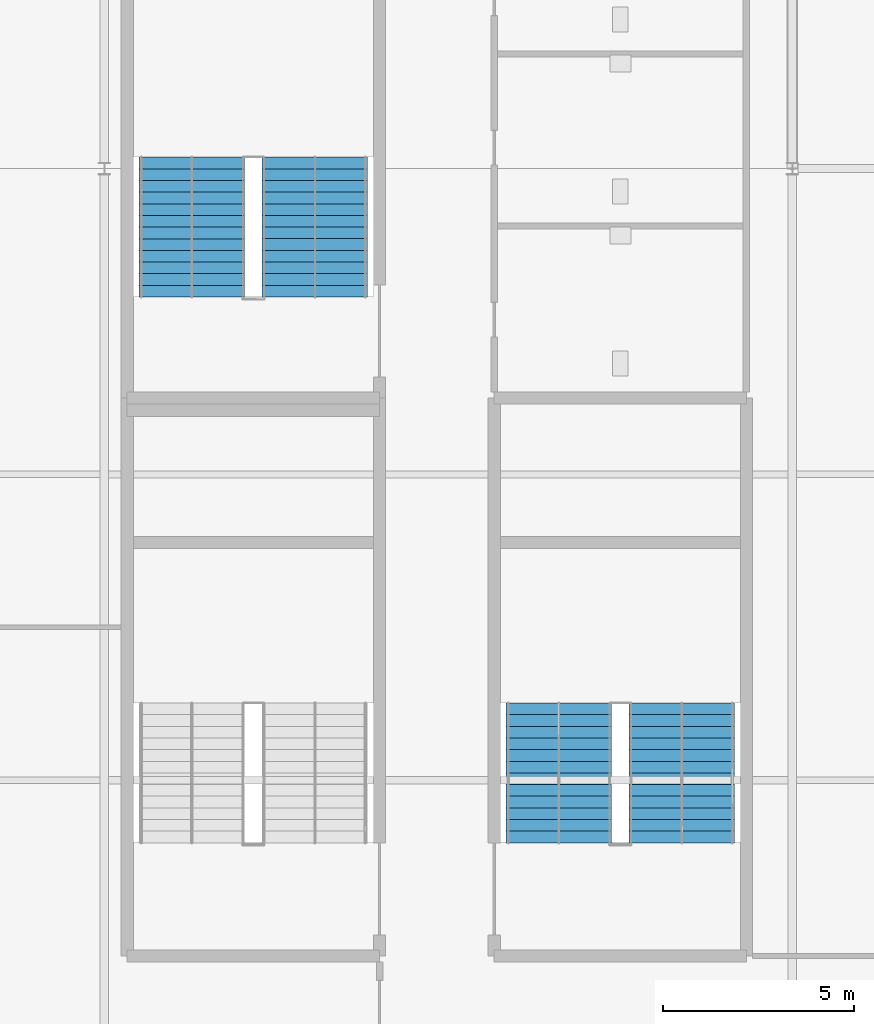
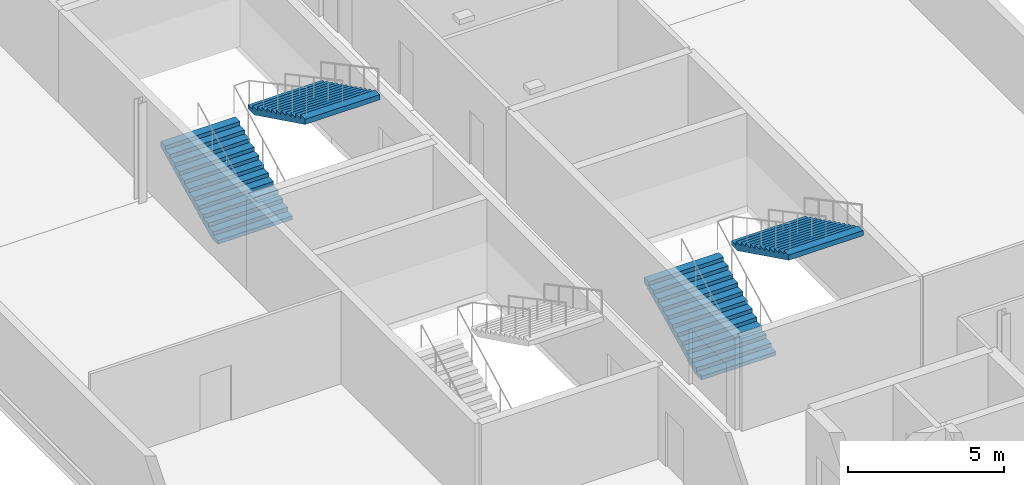
# One storey, part 25 of 31: 4 stair flights, 2 elements without a shape of their own.
"""IFC4 building model written with IfcOpenShell, lengths in metres."""

from ifc_helpers import new_model, si_unit, direction, frame, origin, place, context, subcontext, project, spatial, polygons, material, type_object, element, aggregate, save


model = new_model("IFC4")

# Units and contexts
model_context = context("Model", 3, precision=1e-05, world=origin(), true_north=direction((0.0, 1.0)))
body_context = subcontext(model_context, "Body", "Model", "MODEL_VIEW")
ifc_project = project(units=[si_unit("LENGTHUNIT", "METRE"), si_unit("AREAUNIT", "SQUARE_METRE"), si_unit("VOLUMEUNIT", "CUBIC_METRE"), si_unit("PLANEANGLEUNIT", "RADIAN"), si_unit("MASSUNIT", "GRAM", prefix="KILO")], contexts=[model_context])

# Site, building, storey
site_placement = place(None, origin())
site = spatial("IfcSite", under=ifc_project, at=site_placement, CompositionType="ELEMENT")
building_placement = place(site_placement, origin())
building = spatial("IfcBuilding", under=site, at=building_placement, Name="Kisiwana Market Hall", CompositionType="ELEMENT")
storey_placement = place(building_placement, frame((0.0, 0.0, 45.60009765625)))
storey = spatial("IfcBuildingStorey", under=building, at=storey_placement, Name="L10", CompositionType="ELEMENT", Elevation=45.60009765625)

# Stair, stair flights
ifc_material_1 = material(Name="Concrete C32/40", Category="concrete")
stair_type = type_object("IfcStairType", Name="ST-ESC-3900", PredefinedType="TWO_STRAIGHT_RUN_STAIR", material=ifc_material_1)
stair_1_placement = place(storey_placement, origin())
stair_1 = element("IfcStair", 1, at=stair_1_placement, inside=storey, type_object=stair_type, Name="Escape stair ST-E3-L10", PredefinedType="TWO_STRAIGHT_RUN_STAIR")
ifc_material_2 = material(Name="Concrete C32/40", Category="concrete")
stair_flight_type = type_object("IfcStairFlightType", Name="SF-ESC-3900", PredefinedType="STRAIGHT", material=ifc_material_2)
stair_flight_1_placement = place(storey_placement, frame((182.889892578125, 42.360107421875, 0.0), z_axis=(0.0, 0.0, 1.0), x_axis=(0.0, 1.0, 0.0)))
stair_flight_1 = element("IfcStairFlight", 2, at=stair_flight_1_placement, type_object=stair_flight_type, Name="ST-E3-L10 flight 1", NumberOfRisers=13, NumberOfTreads=12, PredefinedType="STRAIGHT", RiserHeight=0.15, TreadLength=0.305, context=body_context, shape_type="Tessellation", body=[
    polygons([(0.0, -1.380127, 0.0), (0.0, -0.690125, 0.0), (0.0, -0.000122, 0.0), (0.0, 0.68988, 0.0), (0.0, 1.379883, 0.0), (0.0, -1.380127, 0.149902), (0.0, -0.690125, 0.149902), (0.0, -0.000122, 0.149902), (0.0, 0.68988, 0.149902), (0.0, 1.379883, 0.149902), (0.304932, -1.380127, 0.149902), (0.304932, -0.690125, 0.149902), (0.304932, -0.000122, 0.149902), (0.304932, 0.68988, 0.149902), (0.304932, 1.379883, 0.149902), (0.304932, -1.380127, 0.300049), (0.304932, -0.690125, 0.300049), (0.304932, -0.000122, 0.300049), (0.304932, 0.68988, 0.300049), (0.304932, 1.379883, 0.300049), (0.610107, -1.380127, 0.300049), (0.610107, -0.690125, 0.300049), (0.610107, -0.000122, 0.300049), (0.610107, 0.68988, 0.300049), (0.610107, 1.379883, 0.300049), (0.610107, -1.380127, 0.449951), (0.610107, -0.690125, 0.449951), (0.610107, -0.000122, 0.449951), (0.610107, 0.68988, 0.449951), (0.610107, 1.379883, 0.449951), (0.915039, -1.380127, 0.449951), (0.915039, -0.690125, 0.449951), (0.915039, -0.000122, 0.449951), (0.915039, 0.68988, 0.449951), (0.915039, 1.379883, 0.449951), (0.915039, -1.380127, 0.600098), (0.915039, -0.690125, 0.600098), (0.915039, -0.000122, 0.600098), (0.915039, 0.68988, 0.600098), (0.915039, 1.379883, 0.600098), (1.219971, -1.380127, 0.600098), (1.219971, -0.690125, 0.600098), (1.219971, -0.000122, 0.600098), (1.219971, 0.68988, 0.600098), (1.219971, 1.379883, 0.600098), (1.219971, -1.380127, 0.75), (1.219971, -0.690125, 0.75), (1.219971, -0.000122, 0.75), (1.219971, 0.68988, 0.75), (1.219971, 1.379883, 0.75), (1.524902, -1.380127, 0.75), (1.524902, -0.690125, 0.75), (1.524902, -0.000122, 0.75), (1.524902, 0.68988, 0.75), (1.524902, 1.379883, 0.75), (1.524902, -1.380127, 0.899902), (1.524902, -0.690125, 0.899902), (1.524902, -0.000122, 0.899902), (1.524902, 0.68988, 0.899902), (1.524902, 1.379883, 0.899902), (1.830078, -1.380127, 0.899902), (1.830078, -0.690125, 0.899902), (1.830078, -0.000122, 0.899902), (1.830078, 0.68988, 0.899902), (1.830078, 1.379883, 0.899902), (1.830078, -1.380127, 1.050049), (1.830078, -0.690125, 1.050049), (1.830078, -0.000122, 1.050049), (1.830078, 0.68988, 1.050049), (1.830078, 1.379883, 1.050049), (2.13501, -1.380127, 1.050049), (2.13501, -0.690125, 1.050049), (2.13501, -0.000122, 1.050049), (2.13501, 0.68988, 1.050049), (2.13501, 1.379883, 1.050049), (2.13501, -1.380127, 1.199951), (2.13501, -0.690125, 1.199951), (2.13501, -0.000122, 1.199951), (2.13501, 0.68988, 1.199951), (2.13501, 1.379883, 1.199951), (2.439941, -1.380127, 1.199951), (2.439941, -0.690125, 1.199951), (2.439941, -0.000122, 1.199951), (2.439941, 0.68988, 1.199951), (2.439941, 1.379883, 1.199951), (2.439941, -1.380127, 1.350098), (2.439941, -0.690125, 1.350098), (2.439941, -0.000122, 1.350098), (2.439941, 0.68988, 1.350098), (2.439941, 1.379883, 1.350098), (2.745117, -1.380127, 1.350098), (2.745117, -0.690125, 1.350098), (2.745117, -0.000122, 1.350098), (2.745117, 0.68988, 1.350098), (2.745117, 1.379883, 1.350098), (2.745117, -1.380127, 1.5), (2.745117, -0.690125, 1.5), (2.745117, -0.000122, 1.5), (2.745117, 0.68988, 1.5), (2.745117, 1.379883, 1.5), (3.050049, -1.380127, 1.5), (3.050049, -0.690125, 1.5), (3.050049, -0.000122, 1.5), (3.050049, 0.68988, 1.5), (3.050049, 1.379883, 1.5), (3.050049, -1.380127, 1.649902), (3.050049, -0.690125, 1.649902), (3.050049, -0.000122, 1.649902), (3.050049, 0.68988, 1.649902), (3.050049, 1.379883, 1.649902), (3.35498, -1.380127, 1.649902), (3.35498, -0.690125, 1.649902), (3.35498, -0.000122, 1.649902), (3.35498, 0.68988, 1.649902), (3.35498, 1.379883, 1.649902), (3.35498, -1.380127, 1.800049), (3.35498, -0.690125, 1.800049), (3.35498, -0.000122, 1.800049), (3.35498, 0.68988, 1.800049), (3.35498, 1.379883, 1.800049), (3.659912, -1.380127, 1.800049), (3.659912, -0.690125, 1.800049), (3.659912, -0.000122, 1.800049), (3.659912, 0.68988, 1.800049), (3.659912, 1.379883, 1.800049), (3.659912, -1.380127, 1.599365), (3.659912, -0.690125, 1.599365), (3.659912, -0.000122, 1.599365), (3.659912, 0.68988, 1.599365), (3.659912, 1.379883, 1.599365), (0.407715, -1.380127, 0.0), (0.407715, -0.690125, 0.0), (0.407715, -0.000122, 0.0), (0.407715, 0.68988, 0.0), (0.407715, 1.379883, 0.0)], [[[1, 6, 7, 2]], [[2, 7, 8, 3]], [[3, 8, 9, 4]], [[4, 9, 10, 5]], [[6, 11, 12, 7]], [[7, 12, 13, 8]], [[8, 13, 14, 9]], [[9, 14, 15, 10]], [[11, 16, 17, 12]], [[12, 17, 18, 13]], [[13, 18, 19, 14]], [[14, 19, 20, 15]], [[16, 21, 22, 17]], [[17, 22, 23, 18]], [[18, 23, 24, 19]], [[19, 24, 25, 20]], [[21, 26, 27, 22]], [[22, 27, 28, 23]], [[23, 28, 29, 24]], [[24, 29, 30, 25]], [[26, 31, 32, 27]], [[27, 32, 33, 28]], [[28, 33, 34, 29]], [[29, 34, 35, 30]], [[31, 36, 37, 32]], [[32, 37, 38, 33]], [[33, 38, 39, 34]], [[34, 39, 40, 35]], [[36, 41, 42, 37]], [[37, 42, 43, 38]], [[38, 43, 44, 39]], [[39, 44, 45, 40]], [[41, 46, 47, 42]], [[42, 47, 48, 43]], [[43, 48, 49, 44]], [[44, 49, 50, 45]], [[46, 51, 52, 47]], [[47, 52, 53, 48]], [[48, 53, 54, 49]], [[49, 54, 55, 50]], [[51, 56, 57, 52]], [[52, 57, 58, 53]], [[53, 58, 59, 54]], [[54, 59, 60, 55]], [[56, 61, 62, 57]], [[57, 62, 63, 58]], [[58, 63, 64, 59]], [[59, 64, 65, 60]], [[61, 66, 67, 62]], [[62, 67, 68, 63]], [[63, 68, 69, 64]], [[64, 69, 70, 65]], [[66, 71, 72, 67]], [[67, 72, 73, 68]], [[68, 73, 74, 69]], [[69, 74, 75, 70]], [[71, 76, 77, 72]], [[72, 77, 78, 73]], [[73, 78, 79, 74]], [[74, 79, 80, 75]], [[76, 81, 82, 77]], [[77, 82, 83, 78]], [[78, 83, 84, 79]], [[79, 84, 85, 80]], [[81, 86, 87, 82]], [[82, 87, 88, 83]], [[83, 88, 89, 84]], [[84, 89, 90, 85]], [[86, 91, 92, 87]], [[87, 92, 93, 88]], [[88, 93, 94, 89]], [[89, 94, 95, 90]], [[91, 96, 97, 92]], [[92, 97, 98, 93]], [[93, 98, 99, 94]], [[94, 99, 100, 95]], [[96, 101, 102, 97]], [[97, 102, 103, 98]], [[98, 103, 104, 99]], [[99, 104, 105, 100]], [[101, 106, 107, 102]], [[102, 107, 108, 103]], [[103, 108, 109, 104]], [[104, 109, 110, 105]], [[106, 111, 112, 107]], [[107, 112, 113, 108]], [[108, 113, 114, 109]], [[109, 114, 115, 110]], [[111, 116, 117, 112]], [[112, 117, 118, 113]], [[113, 118, 119, 114]], [[114, 119, 120, 115]], [[116, 121, 122, 117]], [[117, 122, 123, 118]], [[118, 123, 124, 119]], [[119, 124, 125, 120]], [[121, 126, 127, 122]], [[122, 127, 128, 123]], [[123, 128, 129, 124]], [[124, 129, 130, 125]], [[126, 131, 132, 127]], [[127, 132, 133, 128]], [[128, 133, 134, 129]], [[129, 134, 135, 130]], [[131, 1, 2, 132]], [[132, 2, 3, 133]], [[133, 3, 4, 134]], [[134, 4, 5, 135]], [[131, 126, 121, 116, 111, 106, 101, 96, 91, 86, 81, 76, 71, 66, 61, 56, 51, 46, 41, 36, 31, 26, 21, 16, 11, 6, 1]], [[5, 10, 15, 20, 25, 30, 35, 40, 45, 50, 55, 60, 65, 70, 75, 80, 85, 90, 95, 100, 105, 110, 115, 120, 125, 130, 135]]], closed=True),
])
stair_flight_2_placement = place(storey_placement, frame((186.110107421875, 46.02001953125, 1.949951171875), z_axis=(0.0, 0.0, 1.0), x_axis=(0.0, -1.0, 0.0)))
stair_flight_2 = element("IfcStairFlight", 3, at=stair_flight_2_placement, type_object=stair_flight_type, Name="ST-E3-L10 flight 2", NumberOfRisers=13, NumberOfTreads=12, PredefinedType="STRAIGHT", RiserHeight=0.15, TreadLength=0.305, context=body_context, shape_type="Tessellation", body=[
    polygons([(0.0, -1.380127, 0.0), (0.0, -0.690125, 0.0), (0.0, -0.000122, 0.0), (0.0, 0.68988, 0.0), (0.0, 1.379883, 0.0), (0.0, -1.380127, 0.149902), (0.0, -0.690125, 0.149902), (0.0, -0.000122, 0.149902), (0.0, 0.68988, 0.149902), (0.0, 1.379883, 0.149902), (0.304932, -1.380127, 0.149902), (0.304932, -0.690125, 0.149902), (0.304932, -0.000122, 0.149902), (0.304932, 0.68988, 0.149902), (0.304932, 1.379883, 0.149902), (0.304932, -1.380127, 0.300049), (0.304932, -0.690125, 0.300049), (0.304932, -0.000122, 0.300049), (0.304932, 0.68988, 0.300049), (0.304932, 1.379883, 0.300049), (0.610107, -1.380127, 0.300049), (0.610107, -0.690125, 0.300049), (0.610107, -0.000122, 0.300049), (0.610107, 0.68988, 0.300049), (0.610107, 1.379883, 0.300049), (0.610107, -1.380127, 0.449951), (0.610107, -0.690125, 0.449951), (0.610107, -0.000122, 0.449951), (0.610107, 0.68988, 0.449951), (0.610107, 1.379883, 0.449951), (0.915039, -1.380127, 0.449951), (0.915039, -0.690125, 0.449951), (0.915039, -0.000122, 0.449951), (0.915039, 0.68988, 0.449951), (0.915039, 1.379883, 0.449951), (0.915039, -1.380127, 0.600098), (0.915039, -0.690125, 0.600098), (0.915039, -0.000122, 0.600098), (0.915039, 0.68988, 0.600098), (0.915039, 1.379883, 0.600098), (1.219971, -1.380127, 0.600098), (1.219971, -0.690125, 0.600098), (1.219971, -0.000122, 0.600098), (1.219971, 0.68988, 0.600098), (1.219971, 1.379883, 0.600098), (1.219971, -1.380127, 0.75), (1.219971, -0.690125, 0.75), (1.219971, -0.000122, 0.75), (1.219971, 0.68988, 0.75), (1.219971, 1.379883, 0.75), (1.524902, -1.380127, 0.75), (1.524902, -0.690125, 0.75), (1.524902, -0.000122, 0.75), (1.524902, 0.68988, 0.75), (1.524902, 1.379883, 0.75), (1.524902, -1.380127, 0.899902), (1.524902, -0.690125, 0.899902), (1.524902, -0.000122, 0.899902), (1.524902, 0.68988, 0.899902), (1.524902, 1.379883, 0.899902), (1.830078, -1.380127, 0.899902), (1.830078, -0.690125, 0.899902), (1.830078, -0.000122, 0.899902), (1.830078, 0.68988, 0.899902), (1.830078, 1.379883, 0.899902), (1.830078, -1.380127, 1.050049), (1.830078, -0.690125, 1.050049), (1.830078, -0.000122, 1.050049), (1.830078, 0.68988, 1.050049), (1.830078, 1.379883, 1.050049), (2.13501, -1.380127, 1.050049), (2.13501, -0.690125, 1.050049), (2.13501, -0.000122, 1.050049), (2.13501, 0.68988, 1.050049), (2.13501, 1.379883, 1.050049), (2.13501, -1.380127, 1.199951), (2.13501, -0.690125, 1.199951), (2.13501, -0.000122, 1.199951), (2.13501, 0.68988, 1.199951), (2.13501, 1.379883, 1.199951), (2.439941, -1.380127, 1.199951), (2.439941, -0.690125, 1.199951), (2.439941, -0.000122, 1.199951), (2.439941, 0.68988, 1.199951), (2.439941, 1.379883, 1.199951), (2.439941, -1.380127, 1.350098), (2.439941, -0.690125, 1.350098), (2.439941, -0.000122, 1.350098), (2.439941, 0.68988, 1.350098), (2.439941, 1.379883, 1.350098), (2.745117, -1.380127, 1.350098), (2.745117, -0.690125, 1.350098), (2.745117, -0.000122, 1.350098), (2.745117, 0.68988, 1.350098), (2.745117, 1.379883, 1.350098), (2.745117, -1.380127, 1.5), (2.745117, -0.690125, 1.5), (2.745117, -0.000122, 1.5), (2.745117, 0.68988, 1.5), (2.745117, 1.379883, 1.5), (3.050049, -1.380127, 1.5), (3.050049, -0.690125, 1.5), (3.050049, -0.000122, 1.5), (3.050049, 0.68988, 1.5), (3.050049, 1.379883, 1.5), (3.050049, -1.380127, 1.649902), (3.050049, -0.690125, 1.649902), (3.050049, -0.000122, 1.649902), (3.050049, 0.68988, 1.649902), (3.050049, 1.379883, 1.649902), (3.35498, -1.380127, 1.649902), (3.35498, -0.690125, 1.649902), (3.35498, -0.000122, 1.649902), (3.35498, 0.68988, 1.649902), (3.35498, 1.379883, 1.649902), (3.35498, -1.380127, 1.800049), (3.35498, -0.690125, 1.800049), (3.35498, -0.000122, 1.800049), (3.35498, 0.68988, 1.800049), (3.35498, 1.379883, 1.800049), (3.659912, -1.380127, 1.800049), (3.659912, -0.690125, 1.800049), (3.659912, -0.000122, 1.800049), (3.659912, 0.68988, 1.800049), (3.659912, 1.379883, 1.800049), (3.659912, -1.380127, 1.599365), (3.659912, -0.690125, 1.599365), (3.659912, -0.000122, 1.599365), (3.659912, 0.68988, 1.599365), (3.659912, 1.379883, 1.599365), (0.407715, -1.380127, 0.0), (0.407715, -0.690125, 0.0), (0.407715, -0.000122, 0.0), (0.407715, 0.68988, 0.0), (0.407715, 1.379883, 0.0)], [[[1, 6, 7, 2]], [[2, 7, 8, 3]], [[3, 8, 9, 4]], [[4, 9, 10, 5]], [[6, 11, 12, 7]], [[7, 12, 13, 8]], [[8, 13, 14, 9]], [[9, 14, 15, 10]], [[11, 16, 17, 12]], [[12, 17, 18, 13]], [[13, 18, 19, 14]], [[14, 19, 20, 15]], [[16, 21, 22, 17]], [[17, 22, 23, 18]], [[18, 23, 24, 19]], [[19, 24, 25, 20]], [[21, 26, 27, 22]], [[22, 27, 28, 23]], [[23, 28, 29, 24]], [[24, 29, 30, 25]], [[26, 31, 32, 27]], [[27, 32, 33, 28]], [[28, 33, 34, 29]], [[29, 34, 35, 30]], [[31, 36, 37, 32]], [[32, 37, 38, 33]], [[33, 38, 39, 34]], [[34, 39, 40, 35]], [[36, 41, 42, 37]], [[37, 42, 43, 38]], [[38, 43, 44, 39]], [[39, 44, 45, 40]], [[41, 46, 47, 42]], [[42, 47, 48, 43]], [[43, 48, 49, 44]], [[44, 49, 50, 45]], [[46, 51, 52, 47]], [[47, 52, 53, 48]], [[48, 53, 54, 49]], [[49, 54, 55, 50]], [[51, 56, 57, 52]], [[52, 57, 58, 53]], [[53, 58, 59, 54]], [[54, 59, 60, 55]], [[56, 61, 62, 57]], [[57, 62, 63, 58]], [[58, 63, 64, 59]], [[59, 64, 65, 60]], [[61, 66, 67, 62]], [[62, 67, 68, 63]], [[63, 68, 69, 64]], [[64, 69, 70, 65]], [[66, 71, 72, 67]], [[67, 72, 73, 68]], [[68, 73, 74, 69]], [[69, 74, 75, 70]], [[71, 76, 77, 72]], [[72, 77, 78, 73]], [[73, 78, 79, 74]], [[74, 79, 80, 75]], [[76, 81, 82, 77]], [[77, 82, 83, 78]], [[78, 83, 84, 79]], [[79, 84, 85, 80]], [[81, 86, 87, 82]], [[82, 87, 88, 83]], [[83, 88, 89, 84]], [[84, 89, 90, 85]], [[86, 91, 92, 87]], [[87, 92, 93, 88]], [[88, 93, 94, 89]], [[89, 94, 95, 90]], [[91, 96, 97, 92]], [[92, 97, 98, 93]], [[93, 98, 99, 94]], [[94, 99, 100, 95]], [[96, 101, 102, 97]], [[97, 102, 103, 98]], [[98, 103, 104, 99]], [[99, 104, 105, 100]], [[101, 106, 107, 102]], [[102, 107, 108, 103]], [[103, 108, 109, 104]], [[104, 109, 110, 105]], [[106, 111, 112, 107]], [[107, 112, 113, 108]], [[108, 113, 114, 109]], [[109, 114, 115, 110]], [[111, 116, 117, 112]], [[112, 117, 118, 113]], [[113, 118, 119, 114]], [[114, 119, 120, 115]], [[116, 121, 122, 117]], [[117, 122, 123, 118]], [[118, 123, 124, 119]], [[119, 124, 125, 120]], [[121, 126, 127, 122]], [[122, 127, 128, 123]], [[123, 128, 129, 124]], [[124, 129, 130, 125]], [[126, 131, 132, 127]], [[127, 132, 133, 128]], [[128, 133, 134, 129]], [[129, 134, 135, 130]], [[131, 1, 2, 132]], [[132, 2, 3, 133]], [[133, 3, 4, 134]], [[134, 4, 5, 135]], [[131, 126, 121, 116, 111, 106, 101, 96, 91, 86, 81, 76, 71, 66, 61, 56, 51, 46, 41, 36, 31, 26, 21, 16, 11, 6, 1]], [[5, 10, 15, 20, 25, 30, 35, 40, 45, 50, 55, 60, 65, 70, 75, 80, 85, 90, 95, 100, 105, 110, 115, 120, 125, 130, 135]]], closed=True),
])
aggregate(stair_1, [stair_flight_1, stair_flight_2])

stair_2_placement = place(storey_placement, origin())
stair_2 = element("IfcStair", 4, at=stair_2_placement, inside=storey, type_object=stair_type, Name="Escape stair ST-E5-L10", PredefinedType="TWO_STRAIGHT_RUN_STAIR")
stair_flight_3_placement = place(storey_placement, frame((173.2900390625, 56.639892578125, 0.0), z_axis=(0.0, 0.0, 1.0), x_axis=(0.0, 1.0, 0.0)))
stair_flight_3 = element("IfcStairFlight", 5, at=stair_flight_3_placement, type_object=stair_flight_type, Name="ST-E5-L10 flight 1", NumberOfRisers=13, NumberOfTreads=12, PredefinedType="STRAIGHT", RiserHeight=0.15, TreadLength=0.305, context=body_context, shape_type="Tessellation", body=[
    polygons([(0.0, -1.380127, 0.0), (0.0, -0.690125, 0.0), (0.0, -0.000122, 0.0), (0.0, 0.68988, 0.0), (0.0, 1.379883, 0.0), (0.0, -1.380127, 0.149902), (0.0, -0.690125, 0.149902), (0.0, -0.000122, 0.149902), (0.0, 0.68988, 0.149902), (0.0, 1.379883, 0.149902), (0.304932, -1.380127, 0.149902), (0.304932, -0.690125, 0.149902), (0.304932, -0.000122, 0.149902), (0.304932, 0.68988, 0.149902), (0.304932, 1.379883, 0.149902), (0.304932, -1.380127, 0.300049), (0.304932, -0.690125, 0.300049), (0.304932, -0.000122, 0.300049), (0.304932, 0.68988, 0.300049), (0.304932, 1.379883, 0.300049), (0.610107, -1.380127, 0.300049), (0.610107, -0.690125, 0.300049), (0.610107, -0.000122, 0.300049), (0.610107, 0.68988, 0.300049), (0.610107, 1.379883, 0.300049), (0.610107, -1.380127, 0.449951), (0.610107, -0.690125, 0.449951), (0.610107, -0.000122, 0.449951), (0.610107, 0.68988, 0.449951), (0.610107, 1.379883, 0.449951), (0.915039, -1.380127, 0.449951), (0.915039, -0.690125, 0.449951), (0.915039, -0.000122, 0.449951), (0.915039, 0.68988, 0.449951), (0.915039, 1.379883, 0.449951), (0.915039, -1.380127, 0.600098), (0.915039, -0.690125, 0.600098), (0.915039, -0.000122, 0.600098), (0.915039, 0.68988, 0.600098), (0.915039, 1.379883, 0.600098), (1.219971, -1.380127, 0.600098), (1.219971, -0.690125, 0.600098), (1.219971, -0.000122, 0.600098), (1.219971, 0.68988, 0.600098), (1.219971, 1.379883, 0.600098), (1.219971, -1.380127, 0.75), (1.219971, -0.690125, 0.75), (1.219971, -0.000122, 0.75), (1.219971, 0.68988, 0.75), (1.219971, 1.379883, 0.75), (1.524902, -1.380127, 0.75), (1.524902, -0.690125, 0.75), (1.524902, -0.000122, 0.75), (1.524902, 0.68988, 0.75), (1.524902, 1.379883, 0.75), (1.524902, -1.380127, 0.899902), (1.524902, -0.690125, 0.899902), (1.524902, -0.000122, 0.899902), (1.524902, 0.68988, 0.899902), (1.524902, 1.379883, 0.899902), (1.830078, -1.380127, 0.899902), (1.830078, -0.690125, 0.899902), (1.830078, -0.000122, 0.899902), (1.830078, 0.68988, 0.899902), (1.830078, 1.379883, 0.899902), (1.830078, -1.380127, 1.050049), (1.830078, -0.690125, 1.050049), (1.830078, -0.000122, 1.050049), (1.830078, 0.68988, 1.050049), (1.830078, 1.379883, 1.050049), (2.13501, -1.380127, 1.050049), (2.13501, -0.690125, 1.050049), (2.13501, -0.000122, 1.050049), (2.13501, 0.68988, 1.050049), (2.13501, 1.379883, 1.050049), (2.13501, -1.380127, 1.199951), (2.13501, -0.690125, 1.199951), (2.13501, -0.000122, 1.199951), (2.13501, 0.68988, 1.199951), (2.13501, 1.379883, 1.199951), (2.439941, -1.380127, 1.199951), (2.439941, -0.690125, 1.199951), (2.439941, -0.000122, 1.199951), (2.439941, 0.68988, 1.199951), (2.439941, 1.379883, 1.199951), (2.439941, -1.380127, 1.350098), (2.439941, -0.690125, 1.350098), (2.439941, -0.000122, 1.350098), (2.439941, 0.68988, 1.350098), (2.439941, 1.379883, 1.350098), (2.745117, -1.380127, 1.350098), (2.745117, -0.690125, 1.350098), (2.745117, -0.000122, 1.350098), (2.745117, 0.68988, 1.350098), (2.745117, 1.379883, 1.350098), (2.745117, -1.380127, 1.5), (2.745117, -0.690125, 1.5), (2.745117, -0.000122, 1.5), (2.745117, 0.68988, 1.5), (2.745117, 1.379883, 1.5), (3.050049, -1.380127, 1.5), (3.050049, -0.690125, 1.5), (3.050049, -0.000122, 1.5), (3.050049, 0.68988, 1.5), (3.050049, 1.379883, 1.5), (3.050049, -1.380127, 1.649902), (3.050049, -0.690125, 1.649902), (3.050049, -0.000122, 1.649902), (3.050049, 0.68988, 1.649902), (3.050049, 1.379883, 1.649902), (3.35498, -1.380127, 1.649902), (3.35498, -0.690125, 1.649902), (3.35498, -0.000122, 1.649902), (3.35498, 0.68988, 1.649902), (3.35498, 1.379883, 1.649902), (3.35498, -1.380127, 1.800049), (3.35498, -0.690125, 1.800049), (3.35498, -0.000122, 1.800049), (3.35498, 0.68988, 1.800049), (3.35498, 1.379883, 1.800049), (3.659912, -1.380127, 1.800049), (3.659912, -0.690125, 1.800049), (3.659912, -0.000122, 1.800049), (3.659912, 0.68988, 1.800049), (3.659912, 1.379883, 1.800049), (3.659912, -1.380127, 1.599365), (3.659912, -0.690125, 1.599365), (3.659912, -0.000122, 1.599365), (3.659912, 0.68988, 1.599365), (3.659912, 1.379883, 1.599365), (0.407715, -1.380127, 0.0), (0.407715, -0.690125, 0.0), (0.407715, -0.000122, 0.0), (0.407715, 0.68988, 0.0), (0.407715, 1.379883, 0.0)], [[[1, 6, 7, 2]], [[2, 7, 8, 3]], [[3, 8, 9, 4]], [[4, 9, 10, 5]], [[6, 11, 12, 7]], [[7, 12, 13, 8]], [[8, 13, 14, 9]], [[9, 14, 15, 10]], [[11, 16, 17, 12]], [[12, 17, 18, 13]], [[13, 18, 19, 14]], [[14, 19, 20, 15]], [[16, 21, 22, 17]], [[17, 22, 23, 18]], [[18, 23, 24, 19]], [[19, 24, 25, 20]], [[21, 26, 27, 22]], [[22, 27, 28, 23]], [[23, 28, 29, 24]], [[24, 29, 30, 25]], [[26, 31, 32, 27]], [[27, 32, 33, 28]], [[28, 33, 34, 29]], [[29, 34, 35, 30]], [[31, 36, 37, 32]], [[32, 37, 38, 33]], [[33, 38, 39, 34]], [[34, 39, 40, 35]], [[36, 41, 42, 37]], [[37, 42, 43, 38]], [[38, 43, 44, 39]], [[39, 44, 45, 40]], [[41, 46, 47, 42]], [[42, 47, 48, 43]], [[43, 48, 49, 44]], [[44, 49, 50, 45]], [[46, 51, 52, 47]], [[47, 52, 53, 48]], [[48, 53, 54, 49]], [[49, 54, 55, 50]], [[51, 56, 57, 52]], [[52, 57, 58, 53]], [[53, 58, 59, 54]], [[54, 59, 60, 55]], [[56, 61, 62, 57]], [[57, 62, 63, 58]], [[58, 63, 64, 59]], [[59, 64, 65, 60]], [[61, 66, 67, 62]], [[62, 67, 68, 63]], [[63, 68, 69, 64]], [[64, 69, 70, 65]], [[66, 71, 72, 67]], [[67, 72, 73, 68]], [[68, 73, 74, 69]], [[69, 74, 75, 70]], [[71, 76, 77, 72]], [[72, 77, 78, 73]], [[73, 78, 79, 74]], [[74, 79, 80, 75]], [[76, 81, 82, 77]], [[77, 82, 83, 78]], [[78, 83, 84, 79]], [[79, 84, 85, 80]], [[81, 86, 87, 82]], [[82, 87, 88, 83]], [[83, 88, 89, 84]], [[84, 89, 90, 85]], [[86, 91, 92, 87]], [[87, 92, 93, 88]], [[88, 93, 94, 89]], [[89, 94, 95, 90]], [[91, 96, 97, 92]], [[92, 97, 98, 93]], [[93, 98, 99, 94]], [[94, 99, 100, 95]], [[96, 101, 102, 97]], [[97, 102, 103, 98]], [[98, 103, 104, 99]], [[99, 104, 105, 100]], [[101, 106, 107, 102]], [[102, 107, 108, 103]], [[103, 108, 109, 104]], [[104, 109, 110, 105]], [[106, 111, 112, 107]], [[107, 112, 113, 108]], [[108, 113, 114, 109]], [[109, 114, 115, 110]], [[111, 116, 117, 112]], [[112, 117, 118, 113]], [[113, 118, 119, 114]], [[114, 119, 120, 115]], [[116, 121, 122, 117]], [[117, 122, 123, 118]], [[118, 123, 124, 119]], [[119, 124, 125, 120]], [[121, 126, 127, 122]], [[122, 127, 128, 123]], [[123, 128, 129, 124]], [[124, 129, 130, 125]], [[126, 131, 132, 127]], [[127, 132, 133, 128]], [[128, 133, 134, 129]], [[129, 134, 135, 130]], [[131, 1, 2, 132]], [[132, 2, 3, 133]], [[133, 3, 4, 134]], [[134, 4, 5, 135]], [[131, 126, 121, 116, 111, 106, 101, 96, 91, 86, 81, 76, 71, 66, 61, 56, 51, 46, 41, 36, 31, 26, 21, 16, 11, 6, 1]], [[5, 10, 15, 20, 25, 30, 35, 40, 45, 50, 55, 60, 65, 70, 75, 80, 85, 90, 95, 100, 105, 110, 115, 120, 125, 130, 135]]], closed=True),
])
stair_flight_4_placement = place(storey_placement, frame((176.510009765625, 60.300048828125, 1.949951171875), z_axis=(0.0, 0.0, 1.0), x_axis=(0.0, -1.0, 0.0)))
stair_flight_4 = element("IfcStairFlight", 6, at=stair_flight_4_placement, type_object=stair_flight_type, Name="ST-E5-L10 flight 2", NumberOfRisers=13, NumberOfTreads=12, PredefinedType="STRAIGHT", RiserHeight=0.15, TreadLength=0.305, context=body_context, shape_type="Tessellation", body=[
    polygons([(0.0, -1.380127, 0.0), (0.0, -0.690125, 0.0), (0.0, -0.000122, 0.0), (0.0, 0.68988, 0.0), (0.0, 1.379883, 0.0), (0.0, -1.380127, 0.149902), (0.0, -0.690125, 0.149902), (0.0, -0.000122, 0.149902), (0.0, 0.68988, 0.149902), (0.0, 1.379883, 0.149902), (0.304932, -1.380127, 0.149902), (0.304932, -0.690125, 0.149902), (0.304932, -0.000122, 0.149902), (0.304932, 0.68988, 0.149902), (0.304932, 1.379883, 0.149902), (0.304932, -1.380127, 0.300049), (0.304932, -0.690125, 0.300049), (0.304932, -0.000122, 0.300049), (0.304932, 0.68988, 0.300049), (0.304932, 1.379883, 0.300049), (0.610107, -1.380127, 0.300049), (0.610107, -0.690125, 0.300049), (0.610107, -0.000122, 0.300049), (0.610107, 0.68988, 0.300049), (0.610107, 1.379883, 0.300049), (0.610107, -1.380127, 0.449951), (0.610107, -0.690125, 0.449951), (0.610107, -0.000122, 0.449951), (0.610107, 0.68988, 0.449951), (0.610107, 1.379883, 0.449951), (0.915039, -1.380127, 0.449951), (0.915039, -0.690125, 0.449951), (0.915039, -0.000122, 0.449951), (0.915039, 0.68988, 0.449951), (0.915039, 1.379883, 0.449951), (0.915039, -1.380127, 0.600098), (0.915039, -0.690125, 0.600098), (0.915039, -0.000122, 0.600098), (0.915039, 0.68988, 0.600098), (0.915039, 1.379883, 0.600098), (1.219971, -1.380127, 0.600098), (1.219971, -0.690125, 0.600098), (1.219971, -0.000122, 0.600098), (1.219971, 0.68988, 0.600098), (1.219971, 1.379883, 0.600098), (1.219971, -1.380127, 0.75), (1.219971, -0.690125, 0.75), (1.219971, -0.000122, 0.75), (1.219971, 0.68988, 0.75), (1.219971, 1.379883, 0.75), (1.524902, -1.380127, 0.75), (1.524902, -0.690125, 0.75), (1.524902, -0.000122, 0.75), (1.524902, 0.68988, 0.75), (1.524902, 1.379883, 0.75), (1.524902, -1.380127, 0.899902), (1.524902, -0.690125, 0.899902), (1.524902, -0.000122, 0.899902), (1.524902, 0.68988, 0.899902), (1.524902, 1.379883, 0.899902), (1.830078, -1.380127, 0.899902), (1.830078, -0.690125, 0.899902), (1.830078, -0.000122, 0.899902), (1.830078, 0.68988, 0.899902), (1.830078, 1.379883, 0.899902), (1.830078, -1.380127, 1.050049), (1.830078, -0.690125, 1.050049), (1.830078, -0.000122, 1.050049), (1.830078, 0.68988, 1.050049), (1.830078, 1.379883, 1.050049), (2.13501, -1.380127, 1.050049), (2.13501, -0.690125, 1.050049), (2.13501, -0.000122, 1.050049), (2.13501, 0.68988, 1.050049), (2.13501, 1.379883, 1.050049), (2.13501, -1.380127, 1.199951), (2.13501, -0.690125, 1.199951), (2.13501, -0.000122, 1.199951), (2.13501, 0.68988, 1.199951), (2.13501, 1.379883, 1.199951), (2.439941, -1.380127, 1.199951), (2.439941, -0.690125, 1.199951), (2.439941, -0.000122, 1.199951), (2.439941, 0.68988, 1.199951), (2.439941, 1.379883, 1.199951), (2.439941, -1.380127, 1.350098), (2.439941, -0.690125, 1.350098), (2.439941, -0.000122, 1.350098), (2.439941, 0.68988, 1.350098), (2.439941, 1.379883, 1.350098), (2.745117, -1.380127, 1.350098), (2.745117, -0.690125, 1.350098), (2.745117, -0.000122, 1.350098), (2.745117, 0.68988, 1.350098), (2.745117, 1.379883, 1.350098), (2.745117, -1.380127, 1.5), (2.745117, -0.690125, 1.5), (2.745117, -0.000122, 1.5), (2.745117, 0.68988, 1.5), (2.745117, 1.379883, 1.5), (3.050049, -1.380127, 1.5), (3.050049, -0.690125, 1.5), (3.050049, -0.000122, 1.5), (3.050049, 0.68988, 1.5), (3.050049, 1.379883, 1.5), (3.050049, -1.380127, 1.649902), (3.050049, -0.690125, 1.649902), (3.050049, -0.000122, 1.649902), (3.050049, 0.68988, 1.649902), (3.050049, 1.379883, 1.649902), (3.35498, -1.380127, 1.649902), (3.35498, -0.690125, 1.649902), (3.35498, -0.000122, 1.649902), (3.35498, 0.68988, 1.649902), (3.35498, 1.379883, 1.649902), (3.35498, -1.380127, 1.800049), (3.35498, -0.690125, 1.800049), (3.35498, -0.000122, 1.800049), (3.35498, 0.68988, 1.800049), (3.35498, 1.379883, 1.800049), (3.659912, -1.380127, 1.800049), (3.659912, -0.690125, 1.800049), (3.659912, -0.000122, 1.800049), (3.659912, 0.68988, 1.800049), (3.659912, 1.379883, 1.800049), (3.659912, -1.380127, 1.599365), (3.659912, -0.690125, 1.599365), (3.659912, -0.000122, 1.599365), (3.659912, 0.68988, 1.599365), (3.659912, 1.379883, 1.599365), (0.407715, -1.380127, 0.0), (0.407715, -0.690125, 0.0), (0.407715, -0.000122, 0.0), (0.407715, 0.68988, 0.0), (0.407715, 1.379883, 0.0)], [[[1, 6, 7, 2]], [[2, 7, 8, 3]], [[3, 8, 9, 4]], [[4, 9, 10, 5]], [[6, 11, 12, 7]], [[7, 12, 13, 8]], [[8, 13, 14, 9]], [[9, 14, 15, 10]], [[11, 16, 17, 12]], [[12, 17, 18, 13]], [[13, 18, 19, 14]], [[14, 19, 20, 15]], [[16, 21, 22, 17]], [[17, 22, 23, 18]], [[18, 23, 24, 19]], [[19, 24, 25, 20]], [[21, 26, 27, 22]], [[22, 27, 28, 23]], [[23, 28, 29, 24]], [[24, 29, 30, 25]], [[26, 31, 32, 27]], [[27, 32, 33, 28]], [[28, 33, 34, 29]], [[29, 34, 35, 30]], [[31, 36, 37, 32]], [[32, 37, 38, 33]], [[33, 38, 39, 34]], [[34, 39, 40, 35]], [[36, 41, 42, 37]], [[37, 42, 43, 38]], [[38, 43, 44, 39]], [[39, 44, 45, 40]], [[41, 46, 47, 42]], [[42, 47, 48, 43]], [[43, 48, 49, 44]], [[44, 49, 50, 45]], [[46, 51, 52, 47]], [[47, 52, 53, 48]], [[48, 53, 54, 49]], [[49, 54, 55, 50]], [[51, 56, 57, 52]], [[52, 57, 58, 53]], [[53, 58, 59, 54]], [[54, 59, 60, 55]], [[56, 61, 62, 57]], [[57, 62, 63, 58]], [[58, 63, 64, 59]], [[59, 64, 65, 60]], [[61, 66, 67, 62]], [[62, 67, 68, 63]], [[63, 68, 69, 64]], [[64, 69, 70, 65]], [[66, 71, 72, 67]], [[67, 72, 73, 68]], [[68, 73, 74, 69]], [[69, 74, 75, 70]], [[71, 76, 77, 72]], [[72, 77, 78, 73]], [[73, 78, 79, 74]], [[74, 79, 80, 75]], [[76, 81, 82, 77]], [[77, 82, 83, 78]], [[78, 83, 84, 79]], [[79, 84, 85, 80]], [[81, 86, 87, 82]], [[82, 87, 88, 83]], [[83, 88, 89, 84]], [[84, 89, 90, 85]], [[86, 91, 92, 87]], [[87, 92, 93, 88]], [[88, 93, 94, 89]], [[89, 94, 95, 90]], [[91, 96, 97, 92]], [[92, 97, 98, 93]], [[93, 98, 99, 94]], [[94, 99, 100, 95]], [[96, 101, 102, 97]], [[97, 102, 103, 98]], [[98, 103, 104, 99]], [[99, 104, 105, 100]], [[101, 106, 107, 102]], [[102, 107, 108, 103]], [[103, 108, 109, 104]], [[104, 109, 110, 105]], [[106, 111, 112, 107]], [[107, 112, 113, 108]], [[108, 113, 114, 109]], [[109, 114, 115, 110]], [[111, 116, 117, 112]], [[112, 117, 118, 113]], [[113, 118, 119, 114]], [[114, 119, 120, 115]], [[116, 121, 122, 117]], [[117, 122, 123, 118]], [[118, 123, 124, 119]], [[119, 124, 125, 120]], [[121, 126, 127, 122]], [[122, 127, 128, 123]], [[123, 128, 129, 124]], [[124, 129, 130, 125]], [[126, 131, 132, 127]], [[127, 132, 133, 128]], [[128, 133, 134, 129]], [[129, 134, 135, 130]], [[131, 1, 2, 132]], [[132, 2, 3, 133]], [[133, 3, 4, 134]], [[134, 4, 5, 135]], [[131, 126, 121, 116, 111, 106, 101, 96, 91, 86, 81, 76, 71, 66, 61, 56, 51, 46, 41, 36, 31, 26, 21, 16, 11, 6, 1]], [[5, 10, 15, 20, 25, 30, 35, 40, 45, 50, 55, 60, 65, 70, 75, 80, 85, 90, 95, 100, 105, 110, 115, 120, 125, 130, 135]]], closed=True),
])
aggregate(stair_2, [stair_flight_3, stair_flight_4])

save(model, "model.ifc")
